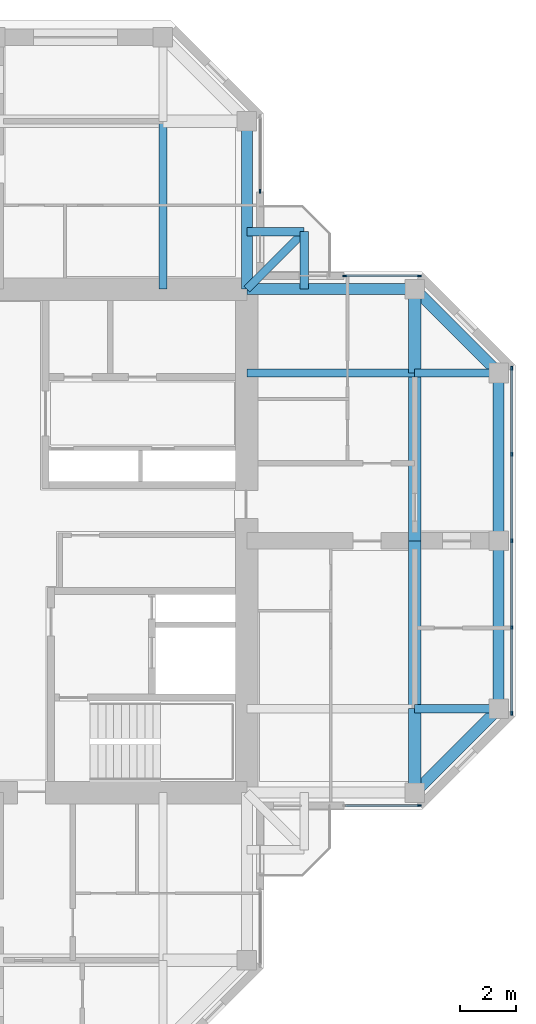
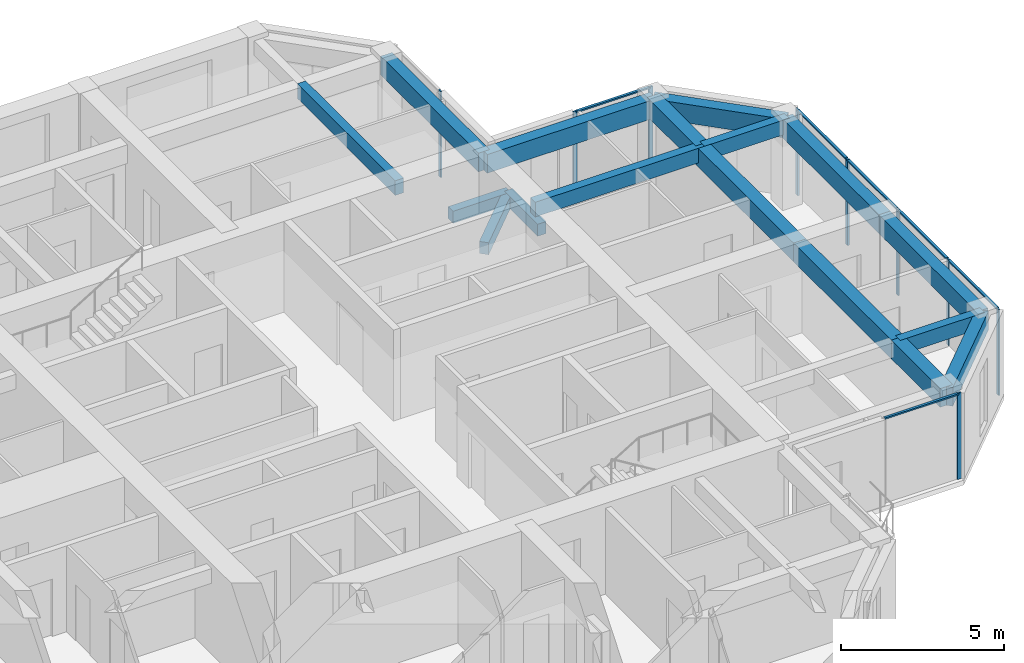
# One storey, part 5 of 13: 17 beams, 15 members, 4 elements without a shape of their own.
"""IFC4 building model written with IfcOpenShell, lengths in metres."""

from ifc_helpers import new_model, si_unit, direction, frame, origin, origin_2d, place, context, subcontext, project, spatial, rectangle, extrude, material, material_profile, profile_set, type_object, element, aggregate, save


model = new_model("IFC4")

# Units and contexts
model_context = context("Model", 3, precision=1e-05, world=origin(), true_north=direction((0.0, 1.0)))
body_context = subcontext(model_context, "Body", "Model", "MODEL_VIEW")
ifc_project = project(units=[si_unit("LENGTHUNIT", "METRE"), si_unit("AREAUNIT", "SQUARE_METRE"), si_unit("VOLUMEUNIT", "CUBIC_METRE"), si_unit("PLANEANGLEUNIT", "RADIAN"), si_unit("MASSUNIT", "GRAM", prefix="KILO")], contexts=[model_context])

# Site, building, storey
site_placement = place(None, origin())
site = spatial("IfcSite", under=ifc_project, at=site_placement, CompositionType="ELEMENT")
building_placement = place(site_placement, origin())
building = spatial("IfcBuilding", under=site, at=building_placement, Name="Torre Cruceta", CompositionType="ELEMENT")
storey_placement = place(building_placement, frame((0.0, 0.0, 264.5)))
storey = spatial("IfcBuildingStorey", under=building, at=storey_placement, Name="L68", CompositionType="ELEMENT", Elevation=264.5)

# Beams
ifc_material_1 = material(Name="Concrete G60 (fck 60 MPa)", Category="concrete")
ifc_material_profile_1 = material_profile(ifc_material_1, rectangle(XDim=0.300048828125, YDim=0.449951171875, at=origin_2d()), Name="RC 300X450")
ifc_profile_set_1 = profile_set([ifc_material_profile_1], Name="Concrete G60 (fck 60 MPa)")
beam_type_1 = type_object("IfcBeamType", Name="BALCONY CANTILEVER BEAM RC 300X450", PredefinedType="BEAM", material=ifc_profile_set_1)
beam_1_placement = place(storey_placement, frame((9.0, 9.0, -0.405029296875), z_axis=(0.707106781187, 0.707106781187, 0.0), x_axis=(-0.707106781187, 0.707106781187, 0.0)))
element("IfcBeam", 1, at=beam_1_placement, inside=storey, type_object=beam_type_1, Name="BB1 balcony beam L68 E", PredefinedType="BEAM", context=body_context, shape_type="SweptSolid", body=[
    extrude(rectangle(XDim=0.300048828125, YDim=0.449951171875, at=origin_2d()), origin(), (0.0, 0.0, 1.0), 2.89990234375),
])
for number, where, z_axis, x_axis, name in (
    (2, (11.050537109375, 9.0, -0.405029296875), (0.0, 1.0, 0.0), (-1.0, 0.0, 0.0), "BB1 balcony edge beam L68 E-X"),
    (3, (9.0, 11.050537109375, -0.405029296875), (1.0, 0.0, 0.0), (0.0, 1.0, 0.0), "BB1 balcony edge beam L68 E-Y"),
):
    element("IfcBeam", number, at=place(storey_placement, frame(where, z_axis=z_axis, x_axis=x_axis)), inside=storey, type_object=beam_type_1, Name=name, PredefinedType="BEAM", context=body_context, shape_type="SweptSolid", body=[
        extrude(rectangle(XDim=0.300048828125, YDim=0.449951171875, at=origin_2d()), origin(), (0.0, 0.0, 1.0), 2.050537109375),
    ])
ifc_material_2 = material(Name="Concrete G60 (fck 60 MPa)", Category="concrete")
ifc_material_profile_2 = material_profile(ifc_material_2, rectangle(XDim=0.300048828125, YDim=0.550048828125, at=origin_2d()), Name="RC 300X550")
ifc_profile_set_2 = profile_set([ifc_material_profile_2], Name="Concrete G60 (fck 60 MPa)")
beam_type_2 = type_object("IfcBeamType", Name="COLUMN LINE BEAM RC 300X550", PredefinedType="BEAM", material=ifc_profile_set_2)
beam_2_placement = place(storey_placement, frame((6.0, 9.0, 2.945068359375), z_axis=(0.0, 1.0, 0.0), x_axis=(-1.0, 0.0, 0.0)))
element("IfcBeam", 4, at=beam_2_placement, inside=storey, type_object=beam_type_2, Name="LB10 L68 N col- 1", PredefinedType="BEAM", context=body_context, shape_type="SweptSolid", body=[
    extrude(rectangle(XDim=0.300048828125, YDim=0.550048828125, at=origin_2d()), origin(), (0.0, 0.0, 1.0), 6.0),
])
beam_3_placement = place(storey_placement, frame((15.0, -6.0, 2.945068359375), z_axis=(1.0, 0.0, 0.0), x_axis=(0.0, 1.0, 0.0)))
element("IfcBeam", 5, at=beam_3_placement, inside=storey, type_object=beam_type_2, Name="LB10 L68 E col- 2", PredefinedType="BEAM", context=body_context, shape_type="SweptSolid", body=[
    extrude(rectangle(XDim=0.300048828125, YDim=0.550048828125, at=origin_2d()), origin(), (0.0, 0.0, 1.0), 3.0),
])
beam_4_placement = place(storey_placement, frame((9.0, 6.0, 2.945068359375), z_axis=(1.0, 0.0, 0.0), x_axis=(0.0, 1.0, 0.0)))
element("IfcBeam", 6, at=beam_4_placement, inside=storey, type_object=beam_type_2, Name="LB10 L68 E col+ 1", PredefinedType="BEAM", context=body_context, shape_type="SweptSolid", body=[
    extrude(rectangle(XDim=0.300048828125, YDim=0.550048828125, at=origin_2d()), origin(), (0.0, 0.0, 1.0), 6.0),
])
beam_5_placement = place(storey_placement, frame((15.0, 6.0, 2.945068359375), z_axis=(1.0, 0.0, 0.0), x_axis=(0.0, 1.0, 0.0)))
element("IfcBeam", 7, at=beam_5_placement, inside=storey, type_object=beam_type_2, Name="LB10 L68 E col+ 2", PredefinedType="BEAM", context=body_context, shape_type="SweptSolid", body=[
    extrude(rectangle(XDim=0.300048828125, YDim=0.550048828125, at=origin_2d()), origin(), (0.0, 0.0, 1.0), 3.0),
])
ifc_material_3 = material(Name="Concrete G60 (fck 60 MPa)", Category="concrete")
ifc_material_profile_3 = material_profile(ifc_material_3, rectangle(XDim=0.449951171875, YDim=0.699951171875, at=origin_2d()), Name="RC 450X700")
ifc_profile_set_3 = profile_set([ifc_material_profile_3], Name="Concrete G60 (fck 60 MPa)")
beam_type_3 = type_object("IfcBeamType", Name="CROSS BEAM RC 450X700", PredefinedType="BEAM", material=ifc_profile_set_3)
beam_6_placement = place(storey_placement, frame((15.0, -9.0, 2.8701171875), z_axis=(0.0, 1.0, 0.0), x_axis=(-1.0, 0.0, 0.0)))
element("IfcBeam", 8, at=beam_6_placement, inside=storey, type_object=beam_type_3, Name="GB8 L68 E cross15 1", PredefinedType="BEAM", context=body_context, shape_type="SweptSolid", body=[
    extrude(rectangle(XDim=0.449951171875, YDim=0.699951171875, at=origin_2d()), origin(), (0.0, 0.0, 1.0), 3.0),
])
for number, where, z_axis, x_axis, name in (
    (9, (15.0, -6.0, 2.8701171875), (0.0, 1.0, 0.0), (-1.0, 0.0, 0.0), "GB8 L68 E cross15 2"),
    (10, (15.0, 0.0, 2.8701171875), (0.0, 1.0, 0.0), (-1.0, 0.0, 0.0), "GB8 L68 E cross15 3"),
):
    element("IfcBeam", number, at=place(storey_placement, frame(where, z_axis=z_axis, x_axis=x_axis)), inside=storey, type_object=beam_type_3, Name=name, PredefinedType="BEAM", context=body_context, shape_type="SweptSolid", body=[
        extrude(rectangle(XDim=0.449951171875, YDim=0.699951171875, at=origin_2d()), origin(), (0.0, 0.0, 1.0), 6.0),
    ])
beam_7_placement = place(storey_placement, frame((15.0, 6.0, 2.8701171875), z_axis=(0.0, 1.0, 0.0), x_axis=(-1.0, 0.0, 0.0)))
element("IfcBeam", 11, at=beam_7_placement, inside=storey, type_object=beam_type_3, Name="GB8 L68 E cross15 4", PredefinedType="BEAM", context=body_context, shape_type="SweptSolid", body=[
    extrude(rectangle(XDim=0.449951171875, YDim=0.699951171875, at=origin_2d()), origin(), (0.0, 0.0, 1.0), 3.0),
])

# Curtain wall, member
ifc_material_4 = material(Name="Aluminium unitised curtain wall", Category="aluminium")
curtain_wall_type = type_object("IfcCurtainWallType", Name="CURTAIN WALL CW-E CO-LIVING TOP", PredefinedType="USERDEFINED", material=ifc_material_4)
curtain_wall_1_placement = place(storey_placement, origin())
curtain_wall_1 = element("IfcCurtainWall", 12, at=curtain_wall_1_placement, inside=storey, type_object=curtain_wall_type, Name="CW-E L68 E side 00", ObjectType="UNITISED", PredefinedType="USERDEFINED")
ifc_material_5 = material(Name="Aluminium mullion", Category="aluminium")
ifc_material_profile_4 = material_profile(ifc_material_5, rectangle(XDim=0.054931640625, YDim=0.139892578125, at=origin_2d()), Name="AL 55X140")
ifc_profile_set_4 = profile_set([ifc_material_profile_4], Name="Aluminium mullion")
member_type_1 = type_object("IfcMemberType", Name="CW-E MULLION 55X140", PredefinedType="MULLION", material=ifc_profile_set_4)
member_1_placement = place(storey_placement, frame((15.167236328125, -9.469970703125, 0.0), z_axis=(0.0, 0.0, 1.0), x_axis=(0.0, 1.0, 0.0)))
member_1 = element("IfcMember", 13, at=member_1_placement, type_object=member_type_1, Name="CW-E mullion 2", PredefinedType="MULLION", context=body_context, shape_type="SweptSolid", body=[
    extrude(rectangle(XDim=0.054931640625, YDim=0.139892578125, at=origin_2d()), origin(), (0.0, 0.0, 1.0), 3.219970703125),
])

# Curtain wall, members
curtain_wall_2_placement = place(storey_placement, origin())
curtain_wall_2 = element("IfcCurtainWall", 14, at=curtain_wall_2_placement, inside=storey, type_object=curtain_wall_type, Name="CW-E L68 E tip 02", ObjectType="UNITISED", PredefinedType="USERDEFINED")
member_2_placement = place(storey_placement, frame((18.469970703125, -6.167236328125, 0.0), z_axis=(0.0, 0.0, 1.0), x_axis=(-1.0, 0.0, 0.0)))
member_2 = element("IfcMember", 15, at=member_2_placement, type_object=member_type_1, Name="CW-E mullion 1", PredefinedType="MULLION", context=body_context, shape_type="SweptSolid", body=[
    extrude(rectangle(XDim=0.054931640625, YDim=0.139892578125, at=origin_2d()), origin(), (0.0, 0.0, 1.0), 3.219970703125),
])
member_3_placement = place(storey_placement, frame((18.469970703125, -3.097412109375, 0.0), z_axis=(0.0, 0.0, 1.0), x_axis=(-1.0, 0.0, 0.0)))
member_3 = element("IfcMember", 16, at=member_3_placement, type_object=member_type_1, Name="CW-E mullion 2", PredefinedType="MULLION", context=body_context, shape_type="SweptSolid", body=[
    extrude(rectangle(XDim=0.054931640625, YDim=0.139892578125, at=origin_2d()), origin(), (0.0, 0.0, 1.0), 3.219970703125),
])
member_4_placement = place(storey_placement, frame((18.469970703125, 0.0, 0.0), z_axis=(0.0, 0.0, 1.0), x_axis=(-1.0, 0.0, 0.0)))
member_4 = element("IfcMember", 17, at=member_4_placement, type_object=member_type_1, Name="CW-E mullion 3", PredefinedType="MULLION", context=body_context, shape_type="SweptSolid", body=[
    extrude(rectangle(XDim=0.054931640625, YDim=0.139892578125, at=origin_2d()), origin(), (0.0, 0.0, 1.0), 3.219970703125),
])
member_5_placement = place(storey_placement, frame((18.469970703125, 3.097412109375, 0.0), z_axis=(0.0, 0.0, 1.0), x_axis=(-1.0, 0.0, 0.0)))
member_5 = element("IfcMember", 18, at=member_5_placement, type_object=member_type_1, Name="CW-E mullion 4", PredefinedType="MULLION", context=body_context, shape_type="SweptSolid", body=[
    extrude(rectangle(XDim=0.054931640625, YDim=0.139892578125, at=origin_2d()), origin(), (0.0, 0.0, 1.0), 3.219970703125),
])
member_6_placement = place(storey_placement, frame((18.469970703125, 6.167236328125, 0.0), z_axis=(0.0, 0.0, 1.0), x_axis=(-1.0, 0.0, 0.0)))
member_6 = element("IfcMember", 19, at=member_6_placement, type_object=member_type_1, Name="CW-E mullion 5", PredefinedType="MULLION", context=body_context, shape_type="SweptSolid", body=[
    extrude(rectangle(XDim=0.054931640625, YDim=0.139892578125, at=origin_2d()), origin(), (0.0, 0.0, 1.0), 3.219970703125),
])

curtain_wall_3_placement = place(storey_placement, origin())
curtain_wall_3 = element("IfcCurtainWall", 20, at=curtain_wall_3_placement, inside=storey, type_object=curtain_wall_type, Name="CW-E L68 E side 04", ObjectType="UNITISED", PredefinedType="USERDEFINED")
member_7_placement = place(storey_placement, frame((15.167236328125, 9.469970703125, 0.0), z_axis=(0.0, 0.0, 1.0), x_axis=(0.0, -1.0, 0.0)))
member_7 = element("IfcMember", 21, at=member_7_placement, type_object=member_type_1, Name="CW-E mullion 1", PredefinedType="MULLION", context=body_context, shape_type="SweptSolid", body=[
    extrude(rectangle(XDim=0.054931640625, YDim=0.139892578125, at=origin_2d()), origin(), (0.0, 0.0, 1.0), 3.219970703125),
])
member_8_placement = place(storey_placement, frame((12.49755859375, 9.469970703125, 0.0), z_axis=(0.0, 0.0, 1.0), x_axis=(0.0, -1.0, 0.0)))
member_8 = element("IfcMember", 22, at=member_8_placement, type_object=member_type_1, Name="CW-E mullion 2", PredefinedType="MULLION", context=body_context, shape_type="SweptSolid", body=[
    extrude(rectangle(XDim=0.054931640625, YDim=0.139892578125, at=origin_2d()), origin(), (0.0, 0.0, 1.0), 3.219970703125),
])

# Curtain wall, member
curtain_wall_4_placement = place(storey_placement, origin())
curtain_wall_4 = element("IfcCurtainWall", 23, at=curtain_wall_4_placement, inside=storey, type_object=curtain_wall_type, Name="CW-E L68 N side 05", ObjectType="UNITISED", PredefinedType="USERDEFINED")
member_9_placement = place(storey_placement, frame((9.469970703125, 12.49755859375, 0.0), z_axis=(0.0, 0.0, 1.0), x_axis=(-1.0, 0.0, 0.0)))
member_9 = element("IfcMember", 24, at=member_9_placement, type_object=member_type_1, Name="CW-E mullion 1", PredefinedType="MULLION", context=body_context, shape_type="SweptSolid", body=[
    extrude(rectangle(XDim=0.054931640625, YDim=0.139892578125, at=origin_2d()), origin(), (0.0, 0.0, 1.0), 3.219970703125),
])
aggregate(curtain_wall_4, [member_9])

# Member
ifc_material_6 = material(Name="Aluminium transom", Category="aluminium")
ifc_material_profile_5 = material_profile(ifc_material_6, rectangle(XDim=0.090087890625, YDim=0.054931640625, at=origin_2d()), Name="AL 90X55")
ifc_profile_set_5 = profile_set([ifc_material_profile_5], Name="Aluminium transom")
member_type_2 = type_object("IfcMemberType", Name="CW-E TRANSOM 55X90", PredefinedType="USERDEFINED", material=ifc_profile_set_5)
member_10_placement = place(storey_placement, frame((12.52490234375, -9.469970703125, 3.1923828125), z_axis=(1.0, 0.0, 0.0), x_axis=(0.0, 1.0, 0.0)))
member_10 = element("IfcMember", 25, at=member_10_placement, type_object=member_type_2, Name="CW-E transom 1", ObjectType="TRANSOM", PredefinedType="USERDEFINED", context=body_context, shape_type="SweptSolid", body=[
    extrude(rectangle(XDim=0.090087890625, YDim=0.054931640625, at=origin_2d()), origin(), (0.0, 0.0, 1.0), 2.61474609375),
])

aggregate(curtain_wall_1, [member_1, member_10])

member_11_placement = place(storey_placement, frame((18.469970703125, -6.1396484375, 3.1923828125), z_axis=(0.0, 1.0, 0.0), x_axis=(-1.0, 0.0, 0.0)))
member_11 = element("IfcMember", 26, at=member_11_placement, type_object=member_type_2, Name="CW-E transom 1", ObjectType="TRANSOM", PredefinedType="USERDEFINED", context=body_context, shape_type="SweptSolid", body=[
    extrude(rectangle(XDim=0.090087890625, YDim=0.054931640625, at=origin_2d()), origin(), (0.0, 0.0, 1.0), 3.014892578125),
])

member_12_placement = place(storey_placement, frame((18.469970703125, -3.06982421875, 3.1923828125), z_axis=(0.0, 1.0, 0.0), x_axis=(-1.0, 0.0, 0.0)))
member_12 = element("IfcMember", 27, at=member_12_placement, type_object=member_type_2, Name="CW-E transom 2", ObjectType="TRANSOM", PredefinedType="USERDEFINED", context=body_context, shape_type="SweptSolid", body=[
    extrude(rectangle(XDim=0.090087890625, YDim=0.054931640625, at=origin_2d()), origin(), (0.0, 0.0, 1.0), 3.042236328125),
])

member_13_placement = place(storey_placement, frame((18.469970703125, 0.027587890625, 3.1923828125), z_axis=(0.0, 1.0, 0.0), x_axis=(-1.0, 0.0, 0.0)))
member_13 = element("IfcMember", 28, at=member_13_placement, type_object=member_type_2, Name="CW-E transom 3", ObjectType="TRANSOM", PredefinedType="USERDEFINED", context=body_context, shape_type="SweptSolid", body=[
    extrude(rectangle(XDim=0.090087890625, YDim=0.054931640625, at=origin_2d()), origin(), (0.0, 0.0, 1.0), 3.042236328125),
])

member_14_placement = place(storey_placement, frame((18.469970703125, 3.124755859375, 3.1923828125), z_axis=(0.0, 1.0, 0.0), x_axis=(-1.0, 0.0, 0.0)))
member_14 = element("IfcMember", 29, at=member_14_placement, type_object=member_type_2, Name="CW-E transom 4", ObjectType="TRANSOM", PredefinedType="USERDEFINED", context=body_context, shape_type="SweptSolid", body=[
    extrude(rectangle(XDim=0.090087890625, YDim=0.054931640625, at=origin_2d()), origin(), (0.0, 0.0, 1.0), 3.014892578125),
])

aggregate(curtain_wall_2, [member_2, member_3, member_4, member_5, member_6, member_11, member_12, member_13, member_14])

member_15_placement = place(storey_placement, frame((15.1396484375, 9.469970703125, 3.1923828125), z_axis=(-1.0, 0.0, 0.0), x_axis=(0.0, -1.0, 0.0)))
member_15 = element("IfcMember", 30, at=member_15_placement, type_object=member_type_2, Name="CW-E transom 1", ObjectType="TRANSOM", PredefinedType="USERDEFINED", context=body_context, shape_type="SweptSolid", body=[
    extrude(rectangle(XDim=0.090087890625, YDim=0.054931640625, at=origin_2d()), origin(), (0.0, 0.0, 1.0), 2.61474609375),
])

aggregate(curtain_wall_3, [member_7, member_8, member_15])

# Beams
ifc_material_7 = material(Name="Concrete G60 (fck 60 MPa)", Category="concrete")
ifc_material_profile_6 = material_profile(ifc_material_7, rectangle(XDim=0.39990234375, YDim=0.699951171875, at=origin_2d()), Name="RC 400X700")
ifc_profile_set_6 = profile_set([ifc_material_profile_6], Name="Concrete G60 (fck 60 MPa)")
beam_type_4 = type_object("IfcBeamType", Name="SPANDREL BEAM RC 400X700", PredefinedType="SPANDREL", material=ifc_profile_set_6)
beam_8_placement = place(storey_placement, frame((9.0, 9.0, 2.8701171875), z_axis=(0.0, 1.0, 0.0), x_axis=(-1.0, 0.0, 0.0)))
element("IfcBeam", 31, at=beam_8_placement, inside=storey, type_object=beam_type_4, Name="SB8 L68 N side- 1", PredefinedType="SPANDREL", context=body_context, shape_type="SweptSolid", body=[
    extrude(rectangle(XDim=0.39990234375, YDim=0.699951171875, at=origin_2d()), origin(), (0.0, 0.0, 1.0), 6.0),
])
beam_9_placement = place(storey_placement, frame((15.0, -9.0, 2.8701171875), z_axis=(0.707106781187, 0.707106781187, 0.0), x_axis=(-0.707106781187, 0.707106781187, 0.0)))
element("IfcBeam", 32, at=beam_9_placement, inside=storey, type_object=beam_type_4, Name="SB8 L68 E side- 2", PredefinedType="SPANDREL", context=body_context, shape_type="SweptSolid", body=[
    extrude(rectangle(XDim=0.39990234375, YDim=0.699951171875, at=origin_2d()), origin(), (0.0, 0.0, 1.0), 4.24267578125),
])
beam_10_placement = place(storey_placement, frame((9.0, 9.0, 2.8701171875), z_axis=(1.0, 0.0, 0.0), x_axis=(0.0, 1.0, 0.0)))
element("IfcBeam", 33, at=beam_10_placement, inside=storey, type_object=beam_type_4, Name="SB8 L68 E side+ 1", PredefinedType="SPANDREL", context=body_context, shape_type="SweptSolid", body=[
    extrude(rectangle(XDim=0.39990234375, YDim=0.699951171875, at=origin_2d()), origin(), (0.0, 0.0, 1.0), 6.0),
])
beam_11_placement = place(storey_placement, frame((15.0, 9.0, 2.8701171875), z_axis=(0.707106781187, -0.707106781187, 0.0), x_axis=(0.707106781187, 0.707106781187, 0.0)))
element("IfcBeam", 34, at=beam_11_placement, inside=storey, type_object=beam_type_4, Name="SB8 L68 E side+ 2", PredefinedType="SPANDREL", context=body_context, shape_type="SweptSolid", body=[
    extrude(rectangle(XDim=0.39990234375, YDim=0.699951171875, at=origin_2d()), origin(), (0.0, 0.0, 1.0), 4.24267578125),
])
for number, where, z_axis, x_axis, name in (
    (35, (18.0, -6.0, 2.8701171875), (0.0, 1.0, 0.0), (-1.0, 0.0, 0.0), "SB8 L68 E tip 1"),
    (36, (18.0, 0.0, 2.8701171875), (0.0, 1.0, 0.0), (-1.0, 0.0, 0.0), "SB8 L68 E tip 2"),
):
    element("IfcBeam", number, at=place(storey_placement, frame(where, z_axis=z_axis, x_axis=x_axis)), inside=storey, type_object=beam_type_4, Name=name, PredefinedType="SPANDREL", context=body_context, shape_type="SweptSolid", body=[
        extrude(rectangle(XDim=0.39990234375, YDim=0.699951171875, at=origin_2d()), origin(), (0.0, 0.0, 1.0), 6.0),
    ])

save(model, "model.ifc")
